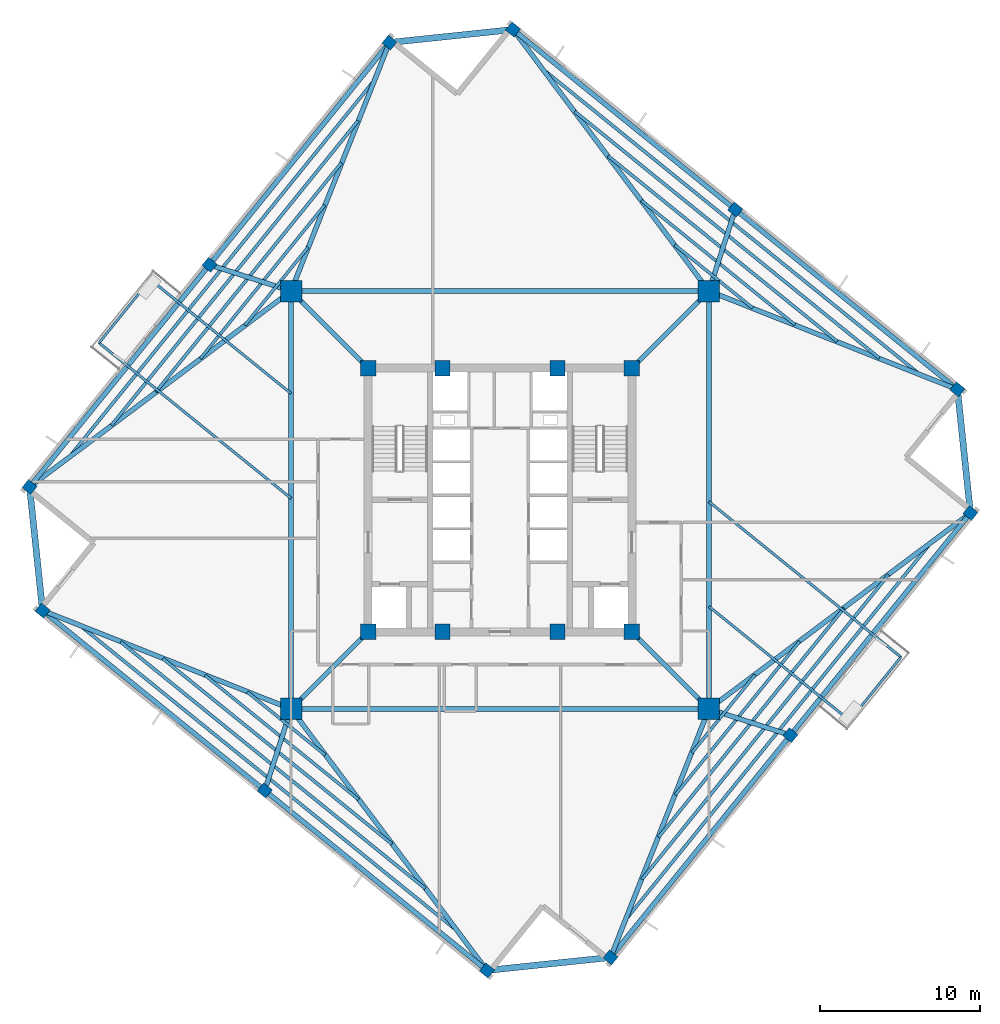
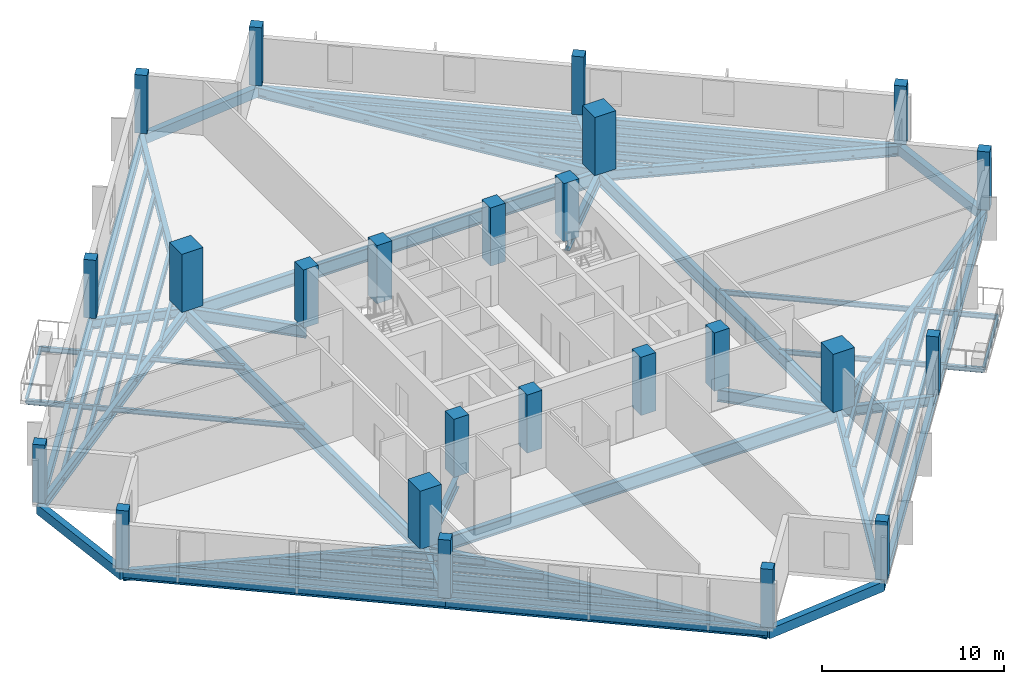
# One storey, part 1 of 9: 58 beams, 24 columns.
"""IFC4 building model written with IfcOpenShell, lengths in metres."""

from ifc_helpers import new_model, si_unit, direction, frame, origin, origin_2d, place, context, subcontext, project, spatial, rectangle, i_section, extrude, source, transform, mapped, material, material_profile, profile_set, type_object, element, save


model = new_model("IFC4")

# Units and contexts
model_context = context("Model", 3, precision=1e-05, world=origin(), true_north=direction((0.0, 1.0)))
body_context = subcontext(model_context, "Body", "Model", "MODEL_VIEW")
ifc_project = project(units=[si_unit("LENGTHUNIT", "METRE"), si_unit("AREAUNIT", "SQUARE_METRE"), si_unit("VOLUMEUNIT", "CUBIC_METRE"), si_unit("PLANEANGLEUNIT", "RADIAN"), si_unit("MASSUNIT", "GRAM", prefix="KILO"), si_unit("THERMODYNAMICTEMPERATUREUNIT", "KELVIN")], contexts=[model_context])

# Site, building, storey
site_placement = place(None, origin())
site = spatial("IfcSite", under=ifc_project, at=site_placement, CompositionType="ELEMENT")
building_placement = place(site_placement, origin())
building = spatial("IfcBuilding", under=site, at=building_placement, Name="Kosmvard Interchange Tower", CompositionType="ELEMENT")
storey_placement = place(building_placement, frame((0.0, 0.0, 221.199951171875)))
storey = spatial("IfcBuildingStorey", under=building, at=storey_placement, Name="L53", CompositionType="ELEMENT", Elevation=221.199951171875)

# Columns
ifc_material_1 = material(Name="Concrete C60/75", Category="concrete")
ifc_material_profile_1 = material_profile(ifc_material_1, rectangle(XDim=0.949951171875, YDim=0.949951171875, at=origin_2d()), Name="CP 950x950")
ifc_profile_set_1 = profile_set([ifc_material_profile_1], Name="Concrete C60/75")
column_type_1 = type_object("IfcColumnType", Name="Core Boundary Pilaster 950x950 C60/75", PredefinedType="PILASTER", material=ifc_profile_set_1)
shared_shape_1 = source(origin(), body_context, "Body", "SweptSolid", [
    extrude(rectangle(XDim=0.949951171875, YDim=0.949951171875, at=origin_2d()), origin(), (0.0, 0.0, 1.0), 3.900146484375),
])
for number, where, z_axis, x_axis, name in (
    (1, (-8.25, -8.25, 0.0), (0.0, 0.0, 1.0), (1.0, 0.0, 0.0), "L53 Core Pilaster CP1"),
    (2, (8.25, -8.25, 0.0), (0.0, 0.0, 1.0), (1.0, 0.0, 0.0), "L53 Core Pilaster CP2"),
    (3, (8.25, 8.25, 0.0), (0.0, 0.0, 1.0), (1.0, 0.0, 0.0), "L53 Core Pilaster CP3"),
    (4, (-8.25, 8.25, 0.0), (0.0, 0.0, 1.0), (1.0, 0.0, 0.0), "L53 Core Pilaster CP4"),
    (5, (-3.60009765625, -8.25, 0.0), (0.0, 0.0, 1.0), (1.0, 0.0, 0.0), "L53 Core Pilaster CP5"),
    (6, (3.60009765625, -8.25, 0.0), (0.0, 0.0, 1.0), (1.0, 0.0, 0.0), "L53 Core Pilaster CP6"),
    (7, (-3.60009765625, 8.25, 0.0), (0.0, 0.0, 1.0), (1.0, 0.0, 0.0), "L53 Core Pilaster CP7"),
    (8, (3.60009765625, 8.25, 0.0), (0.0, 0.0, 1.0), (1.0, 0.0, 0.0), "L53 Core Pilaster CP8"),
):
    element("IfcColumn", number, at=place(storey_placement, frame(where, z_axis=z_axis, x_axis=x_axis)), inside=storey, type_object=column_type_1, Name=name, PredefinedType="PILASTER", context=body_context, shape_type="MappedRepresentation", body=[
        mapped(shared_shape_1, transform((0.0, 0.0, 0.0), scale=1.0)),
    ])
ifc_material_profile_2 = material_profile(ifc_material_1, rectangle(XDim=1.35009765625, YDim=1.35009765625, at=origin_2d()), Name="MC 1350x1350")
ifc_profile_set_2 = profile_set([ifc_material_profile_2], Name="Concrete C60/75")
column_type_2 = type_object("IfcColumnType", Name="Composite Mega-Column 1350x1350 C60/75", PredefinedType="COLUMN", material=ifc_profile_set_2)
shared_shape_2 = source(origin(), body_context, "Body", "SweptSolid", [
    extrude(rectangle(XDim=1.35009765625, YDim=1.35009765625, at=origin_2d()), origin(), (0.0, 0.0, 1.0), 3.900146484375),
])
for number, where, z_axis, x_axis, name in (
    (9, (-13.0810546875, -13.0810546875, 0.0), (0.0, 0.0, 1.0), (1.0, 0.0, 0.0), "L53 Corner Mega-Column MC1"),
    (10, (13.0810546875, -13.0810546875, 0.0), (0.0, 0.0, 1.0), (1.0, 0.0, 0.0), "L53 Corner Mega-Column MC2"),
    (11, (13.0810546875, 13.0810546875, 0.0), (0.0, 0.0, 1.0), (1.0, 0.0, 0.0), "L53 Corner Mega-Column MC3"),
    (12, (-13.0810546875, 13.0810546875, 0.0), (0.0, 0.0, 1.0), (1.0, 0.0, 0.0), "L53 Corner Mega-Column MC4"),
):
    element("IfcColumn", number, at=place(storey_placement, frame(where, z_axis=z_axis, x_axis=x_axis)), inside=storey, type_object=column_type_2, Name=name, PredefinedType="COLUMN", context=body_context, shape_type="MappedRepresentation", body=[
        mapped(shared_shape_2, transform((0.0, 0.0, 0.0), scale=1.0)),
    ])
ifc_material_2 = material(Name="Concrete C50/60", Category="concrete")
ifc_material_profile_3 = material_profile(ifc_material_2, rectangle(XDim=0.64990234375, YDim=0.699951171875, at=origin_2d()), Name="TC 700x650")
ifc_profile_set_3 = profile_set([ifc_material_profile_3], Name="Concrete C50/60")
column_type_3 = type_object("IfcColumnType", Name="Zone 4 Perimeter Pier Column 700x650 C50/60", PredefinedType="COLUMN", material=ifc_profile_set_3)
shared_shape_3 = source(origin(), body_context, "Body", "SweptSolid", [
    extrude(rectangle(XDim=0.64990234375, YDim=0.699951171875, at=origin_2d()), origin(), (0.0, 0.0, 1.0), 3.900146484375),
])
for number, where, z_axis, x_axis, name in (
    (13, (6.92041015625, -28.636962890625, 0.0), (0.0, 0.0, 1.0), (0.62932039105, 0.777145961457, 0.0), "L53 Perimeter Pier Column TC-S1"),
    (14, (18.185302734375, -14.72607421875, 0.0), (0.0, 0.0, 1.0), (0.62932039105, 0.777145961457, 0.0), "L53 Perimeter Pier Column TC-S2"),
    (15, (29.449951171875, -0.815185546875, 0.0), (0.0, 0.0, 1.0), (0.62932039105, 0.777145961457, 0.0), "L53 Perimeter Pier Column TC-S3"),
    (16, (28.636962890625, 6.92041015625, 0.0), (0.0, 0.0, 1.0), (0.62932039105, 0.777145961457, 0.0), "L53 Perimeter Pier Column TC-E1"),
    (17, (14.72607421875, 18.185302734375, 0.0), (0.0, 0.0, 1.0), (0.62932039105, 0.777145961457, 0.0), "L53 Perimeter Pier Column TC-E2"),
    (18, (0.815185546875, 29.449951171875, 0.0), (0.0, 0.0, 1.0), (0.62932039105, 0.777145961457, 0.0), "L53 Perimeter Pier Column TC-E3"),
    (19, (-6.92041015625, 28.636962890625, 0.0), (0.0, 0.0, 1.0), (0.62932039105, 0.777145961457, 0.0), "L53 Perimeter Pier Column TC-N1"),
    (20, (-18.185302734375, 14.72607421875, 0.0), (0.0, 0.0, 1.0), (0.62932039105, 0.777145961457, 0.0), "L53 Perimeter Pier Column TC-N2"),
    (21, (-29.449951171875, 0.815185546875, 0.0), (0.0, 0.0, 1.0), (0.62932039105, 0.777145961457, 0.0), "L53 Perimeter Pier Column TC-N3"),
    (22, (-28.636962890625, -6.92041015625, 0.0), (0.0, 0.0, 1.0), (0.62932039105, 0.777145961457, 0.0), "L53 Perimeter Pier Column TC-W1"),
    (23, (-14.72607421875, -18.185302734375, 0.0), (0.0, 0.0, 1.0), (0.62932039105, 0.777145961457, 0.0), "L53 Perimeter Pier Column TC-W2"),
    (24, (-0.815185546875, -29.449951171875, 0.0), (0.0, 0.0, 1.0), (0.62932039105, 0.777145961457, 0.0), "L53 Perimeter Pier Column TC-W3"),
):
    element("IfcColumn", number, at=place(storey_placement, frame(where, z_axis=z_axis, x_axis=x_axis)), inside=storey, type_object=column_type_3, Name=name, PredefinedType="COLUMN", context=body_context, shape_type="MappedRepresentation", body=[
        mapped(shared_shape_3, transform((0.0, 0.0, 0.0), scale=1.0)),
    ])

# Beams
ifc_material_3 = material(Name="Steel S355", Category="steel")
ifc_material_profile_4 = material_profile(ifc_material_3, i_section(OverallWidth=0.14990234375, OverallDepth=0.300048828125, WebThickness=0.007080078125, FlangeThickness=0.0107421875, FilletRadius=0.014892578125, at=origin_2d()), Name="IPE 300")
ifc_profile_set_4 = profile_set([ifc_material_profile_4], Name="Steel S355")
beam_type_1 = type_object("IfcBeamType", Name="Balcony Edge Header Joist IPE 300 S355", PredefinedType="JOIST", material=ifc_profile_set_4)
shared_shape_4 = source(origin(), body_context, "Body", "SweptSolid", [
    extrude(i_section(OverallWidth=0.14990234375, OverallDepth=0.300048828125, WebThickness=0.007080078125, FlangeThickness=0.0107421875, FilletRadius=0.014892578125, at=origin_2d()), origin(), (0.0, 0.0, 1.0), 5.099853515625),
])
for number, where, z_axis, x_axis, name in (
    (25, (-21.89208984375, 13.80322265625, -0.389892578125), (-0.629319408179, -0.777146757369, 0.0), (0.777146757369, -0.629319408179, 0.0), "BM-L53-BJH1"),
    (26, (21.89208984375, -13.80322265625, -0.389892578125), (0.629319408179, 0.777146757369, 0.0), (-0.777146757369, 0.629319408179, 0.0), "BM-L53-BJH2"),
):
    element("IfcBeam", number, at=place(storey_placement, frame(where, z_axis=z_axis, x_axis=x_axis)), inside=storey, type_object=beam_type_1, Name=name, PredefinedType="JOIST", context=body_context, shape_type="MappedRepresentation", body=[
        mapped(shared_shape_4, transform((0.0, 0.0, 0.0), scale=1.0)),
    ])
ifc_material_profile_5 = material_profile(ifc_material_3, i_section(OverallWidth=0.300048828125, OverallDepth=0.800048828125, WebThickness=0.017578125, FlangeThickness=0.032958984375, FilletRadius=0.027099609375, at=origin_2d()), Name="HEB 800")
ifc_profile_set_5 = profile_set([ifc_material_profile_5], Name="Steel S355")
beam_type_2 = type_object("IfcBeamType", Name="Primary Mega-Frame Girder HEB 800 S355", PredefinedType="BEAM", material=ifc_profile_set_5)
shared_shape_5 = source(origin(), body_context, "Body", "SweptSolid", [
    extrude(i_section(OverallWidth=0.300048828125, OverallDepth=0.800048828125, WebThickness=0.017578125, FlangeThickness=0.032958984375, FilletRadius=0.027099609375, at=origin_2d()), origin(), (0.0, 0.0, 1.0), 6.83203125),
])
for number, where, z_axis, x_axis, name in (
    (27, (-8.25, -8.25, -0.639892578125), (-0.707106781187, -0.707106781187, 0.0), (0.707106781187, -0.707106781187, 0.0), "L53 Radial Mega-Frame Girder 1"),
    (28, (8.25, -8.25, -0.639892578125), (0.707106781187, -0.707106781187, 0.0), (0.707106781187, 0.707106781187, 0.0), "L53 Radial Mega-Frame Girder 2"),
    (29, (8.25, 8.25, -0.639892578125), (0.707106781187, 0.707106781187, 0.0), (-0.707106781187, 0.707106781187, 0.0), "L53 Radial Mega-Frame Girder 3"),
    (30, (-8.25, 8.25, -0.639892578125), (-0.707106781187, 0.707106781187, 0.0), (-0.707106781187, -0.707106781187, 0.0), "L53 Radial Mega-Frame Girder 4"),
):
    element("IfcBeam", number, at=place(storey_placement, frame(where, z_axis=z_axis, x_axis=x_axis)), inside=storey, type_object=beam_type_2, Name=name, PredefinedType="BEAM", context=body_context, shape_type="MappedRepresentation", body=[
        mapped(shared_shape_5, transform((0.0, 0.0, 0.0), scale=1.0)),
    ])
ifc_material_profile_6 = material_profile(ifc_material_3, i_section(OverallWidth=0.300048828125, OverallDepth=0.89990234375, WebThickness=0.0185546875, FlangeThickness=0.034912109375, FilletRadius=0.030029296875, at=origin_2d()), Name="HEB 900")
ifc_profile_set_6 = profile_set([ifc_material_profile_6], Name="Steel S355")
beam_type_3 = type_object("IfcBeamType", Name="Mega-Column Ring Girder HEB 900 S355", PredefinedType="BEAM", material=ifc_profile_set_6)
shared_shape_6 = source(origin(), body_context, "Body", "SweptSolid", [
    extrude(i_section(OverallWidth=0.300048828125, OverallDepth=0.89990234375, WebThickness=0.0185546875, FlangeThickness=0.034912109375, FilletRadius=0.030029296875, at=origin_2d()), origin(), (0.0, 0.0, 1.0), 26.162109375),
])
for number, where, z_axis, x_axis, name in (
    (31, (-13.0810546875, -13.0810546875, -0.68994140625), (1.0, 0.0, 0.0), (0.0, 1.0, 0.0), "L53 Mega-Column Ring Girder 1"),
    (32, (13.0810546875, -13.0810546875, -0.68994140625), (0.0, 1.0, 0.0), (-1.0, 0.0, 0.0), "L53 Mega-Column Ring Girder 2"),
    (33, (13.0810546875, 13.0810546875, -0.68994140625), (-1.0, 0.0, 0.0), (0.0, -1.0, 0.0), "L53 Mega-Column Ring Girder 3"),
    (34, (-13.0810546875, 13.0810546875, -0.68994140625), (0.0, -1.0, 0.0), (1.0, 0.0, 0.0), "L53 Mega-Column Ring Girder 4"),
):
    element("IfcBeam", number, at=place(storey_placement, frame(where, z_axis=z_axis, x_axis=x_axis)), inside=storey, type_object=beam_type_3, Name=name, PredefinedType="BEAM", context=body_context, shape_type="MappedRepresentation", body=[
        mapped(shared_shape_6, transform((0.0, 0.0, 0.0), scale=1.0)),
    ])
ifc_material_profile_7 = material_profile(ifc_material_3, i_section(OverallWidth=0.300048828125, OverallDepth=0.60009765625, WebThickness=0.015380859375, FlangeThickness=0.030029296875, FilletRadius=0.027099609375, at=origin_2d()), Name="HEB 600")
ifc_profile_set_7 = profile_set([ifc_material_profile_7], Name="Steel S355")
beam_type_4 = type_object("IfcBeamType", Name="Perimeter Tie Girder HEB 600 S355", PredefinedType="BEAM", material=ifc_profile_set_7)
shared_shape_7 = source(origin(), body_context, "Body", "SweptSolid", [
    extrude(i_section(OverallWidth=0.300048828125, OverallDepth=0.60009765625, WebThickness=0.015380859375, FlangeThickness=0.030029296875, FilletRadius=0.027099609375, at=origin_2d()), origin(), (0.0, 0.0, 1.0), 17.89990234375),
])
for number, where, z_axis, x_axis, name in (
    (35, (6.92041015625, -28.636962890625, -0.5400390625), (0.629322990554, 0.777143856413, 0.0), (-0.777143856413, 0.629322990554, 0.0), "BM-L53-PR01"),
    (36, (18.185302734375, -14.72607421875, -0.5400390625), (0.629314753061, 0.777150526976, 0.0), (-0.777150526976, 0.629314753061, 0.0), "BM-L53-PR02"),
    (37, (28.636962890625, 6.92041015625, -0.5400390625), (-0.777143856413, 0.629322990554, 0.0), (-0.629322990554, -0.777143856413, 0.0), "BM-L53-PR04"),
    (38, (14.72607421875, 18.185302734375, -0.5400390625), (-0.777150526976, 0.629314753061, 0.0), (-0.629314753061, -0.777150526976, 0.0), "BM-L53-PR05"),
    (39, (-6.92041015625, 28.636962890625, -0.5400390625), (-0.629322990554, -0.777143856413, 0.0), (0.777143856413, -0.629322990554, 0.0), "BM-L53-PR07"),
    (40, (-18.185302734375, 14.72607421875, -0.5400390625), (-0.629314753061, -0.777150526976, 0.0), (0.777150526976, -0.629314753061, 0.0), "BM-L53-PR08"),
    (41, (-28.636962890625, -6.92041015625, -0.5400390625), (0.777143856413, -0.629322990554, 0.0), (0.629322990554, 0.777143856413, 0.0), "BM-L53-PR10"),
    (42, (-14.72607421875, -18.185302734375, -0.5400390625), (0.777150526976, -0.629314753061, 0.0), (0.629314753061, 0.777150526976, 0.0), "BM-L53-PR11"),
):
    element("IfcBeam", number, at=place(storey_placement, frame(where, z_axis=z_axis, x_axis=x_axis)), inside=storey, type_object=beam_type_4, Name=name, PredefinedType="BEAM", context=body_context, shape_type="MappedRepresentation", body=[
        mapped(shared_shape_7, transform((0.0, 0.0, 0.0), scale=1.0)),
    ])
ifc_material_profile_8 = material_profile(ifc_material_3, i_section(OverallWidth=0.300048828125, OverallDepth=0.699951171875, WebThickness=0.01708984375, FlangeThickness=0.031982421875, FilletRadius=0.027099609375, at=origin_2d()), Name="HEB 700")
ifc_profile_set_8 = profile_set([ifc_material_profile_8], Name="Steel S355")
beam_type_5 = type_object("IfcBeamType", Name="Primary Floor Girder HEB 700 S355", PredefinedType="BEAM", material=ifc_profile_set_8)
shared_shape_8 = source(origin(), body_context, "Body", "SweptSolid", [
    extrude(i_section(OverallWidth=0.300048828125, OverallDepth=0.699951171875, WebThickness=0.01708984375, FlangeThickness=0.031982421875, FilletRadius=0.027099609375, at=origin_2d()), origin(), (0.0, 0.0, 1.0), 16.7314453125),
])
for number, where, z_axis, x_axis, name in (
    (43, (13.0810546875, -13.0810546875, -0.58984375), (-0.368208500474, -0.929743244223, 0.0), (0.929743244223, -0.368208500474, 0.0), "BM-L53-RD01"),
    (44, (13.0810546875, 13.0810546875, -0.58984375), (0.929743244223, -0.368208500474, 0.0), (0.368208500474, 0.929743244223, 0.0), "BM-L53-RD04"),
    (45, (-13.0810546875, 13.0810546875, -0.58984375), (0.368208500474, 0.929743244223, 0.0), (-0.929743244223, 0.368208500474, 0.0), "BM-L53-RD07"),
    (46, (-13.0810546875, -13.0810546875, -0.58984375), (-0.929743244223, 0.368208500474, 0.0), (-0.368208500474, -0.929743244223, 0.0), "BM-L53-RD10"),
):
    element("IfcBeam", number, at=place(storey_placement, frame(where, z_axis=z_axis, x_axis=x_axis)), inside=storey, type_object=beam_type_5, Name=name, PredefinedType="BEAM", context=body_context, shape_type="MappedRepresentation", body=[
        mapped(shared_shape_8, transform((0.0, 0.0, 0.0), scale=1.0)),
    ])
ifc_material_profile_9 = material_profile(ifc_material_3, i_section(OverallWidth=0.300048828125, OverallDepth=0.64990234375, WebThickness=0.01611328125, FlangeThickness=0.031005859375, FilletRadius=0.027099609375, at=origin_2d()), Name="HEB 650")
ifc_profile_set_9 = profile_set([ifc_material_profile_9], Name="Steel S355")
beam_type_6 = type_object("IfcBeamType", Name="Primary Floor Girder HEB 650 S355", PredefinedType="BEAM", material=ifc_profile_set_9)
shared_shape_9 = source(origin(), body_context, "Body", "SweptSolid", [
    extrude(i_section(OverallWidth=0.300048828125, OverallDepth=0.64990234375, WebThickness=0.01611328125, FlangeThickness=0.031005859375, FilletRadius=0.027099609375, at=origin_2d()), origin(), (0.0, 0.0, 1.0), 5.36279296875),
])
for number, where, z_axis, x_axis, name in (
    (47, (13.0810546875, -13.0810546875, -0.56494140625), (0.951790966135, -0.306747382686, 0.0), (0.306747382686, 0.951790966135, 0.0), "BM-L53-RD02"),
    (48, (13.0810546875, 13.0810546875, -0.56494140625), (0.306747382686, 0.951790966135, 0.0), (-0.951790966135, 0.306747382686, 0.0), "BM-L53-RD05"),
    (49, (-13.0810546875, 13.0810546875, -0.56494140625), (-0.951790966135, 0.306747382686, 0.0), (-0.306747382686, -0.951790966135, 0.0), "BM-L53-RD08"),
    (50, (-13.0810546875, -13.0810546875, -0.56494140625), (-0.306747382686, -0.951790966135, 0.0), (0.951790966135, -0.306747382686, 0.0), "BM-L53-RD11"),
):
    element("IfcBeam", number, at=place(storey_placement, frame(where, z_axis=z_axis, x_axis=x_axis)), inside=storey, type_object=beam_type_6, Name=name, PredefinedType="BEAM", context=body_context, shape_type="MappedRepresentation", body=[
        mapped(shared_shape_9, transform((0.0, 0.0, 0.0), scale=1.0)),
    ])
ifc_material_4 = material(Name="Precast concrete C45/55", Category="concrete")
ifc_material_profile_10 = material_profile(ifc_material_4, rectangle(XDim=0.39990234375, YDim=0.64990234375, at=origin_2d()), Name="SL 400x650")
ifc_profile_set_10 = profile_set([ifc_material_profile_10], Name="Precast concrete C45/55")
beam_type_7 = type_object("IfcBeamType", Name="Precast Spandrel Lintel 400x650 C45/55", PredefinedType="LINTEL", material=ifc_profile_set_10)
shared_shape_10 = source(origin(), body_context, "Body", "SweptSolid", [
    extrude(rectangle(XDim=0.39990234375, YDim=0.64990234375, at=origin_2d()), origin(), (0.0, 0.0, 1.0), 7.7783203125),
])
for number, where, z_axis, x_axis, name in (
    (51, (29.449951171875, -0.815185546875, -0.56494140625), (-0.104521394525, 0.994522638298, 0.0), (-0.994522638298, -0.104521394525, 0.0), "BM-L53-SL1"),
    (52, (0.815185546875, 29.449951171875, -0.56494140625), (-0.994522638298, -0.104521394525, 0.0), (0.104521394525, -0.994522638298, 0.0), "BM-L53-SL2"),
    (53, (-29.449951171875, 0.815185546875, -0.56494140625), (0.104521394525, -0.994522638298, 0.0), (0.994522638298, 0.104521394525, 0.0), "BM-L53-SL3"),
    (54, (-0.815185546875, -29.449951171875, -0.56494140625), (0.994522638298, 0.104521394525, 0.0), (-0.104521394525, 0.994522638298, 0.0), "BM-L53-SL4"),
):
    element("IfcBeam", number, at=place(storey_placement, frame(where, z_axis=z_axis, x_axis=x_axis)), inside=storey, type_object=beam_type_7, Name=name, PredefinedType="LINTEL", context=body_context, shape_type="MappedRepresentation", body=[
        mapped(shared_shape_10, transform((0.0, 0.0, 0.0), scale=1.0)),
    ])
shared_shape_11 = source(origin(), body_context, "Body", "SweptSolid", [
    extrude(i_section(OverallWidth=0.300048828125, OverallDepth=0.699951171875, WebThickness=0.01708984375, FlangeThickness=0.031982421875, FilletRadius=0.027099609375, at=origin_2d()), origin(), (0.0, 0.0, 1.0), 20.45458984375),
])
for number, where, z_axis, x_axis, name in (
    (55, (13.0810546875, -13.0810546875, -0.58984375), (0.800253443036, 0.599661927179, 0.0), (-0.599661927179, 0.800253443036, 0.0), "BM-L53-RD03"),
    (56, (13.0810546875, 13.0810546875, -0.58984375), (-0.599661927179, 0.800253443036, 0.0), (-0.800253443036, -0.599661927179, 0.0), "BM-L53-RD06"),
    (57, (-13.0810546875, 13.0810546875, -0.58984375), (-0.800253443036, -0.599661927179, 0.0), (0.599661927179, -0.800253443036, 0.0), "BM-L53-RD09"),
    (58, (-13.0810546875, -13.0810546875, -0.58984375), (0.599661927179, -0.800253443036, 0.0), (0.800253443036, 0.599661927179, 0.0), "BM-L53-RD12"),
):
    element("IfcBeam", number, at=place(storey_placement, frame(where, z_axis=z_axis, x_axis=x_axis)), inside=storey, type_object=beam_type_5, Name=name, PredefinedType="BEAM", context=body_context, shape_type="MappedRepresentation", body=[
        mapped(shared_shape_11, transform((0.0, 0.0, 0.0), scale=1.0)),
    ])
ifc_material_profile_11 = material_profile(ifc_material_3, i_section(OverallWidth=0.18994140625, OverallDepth=0.449951171875, WebThickness=0.009521484375, FlangeThickness=0.0146484375, FilletRadius=0.02099609375, at=origin_2d()), Name="IPE 450")
ifc_profile_set_11 = profile_set([ifc_material_profile_11], Name="Steel S355")
beam_type_8 = type_object("IfcBeamType", Name="Mid-Rise Floor Joist IPE 450 S355", PredefinedType="JOIST", material=ifc_profile_set_11)
shared_shape_12 = source(origin(), body_context, "Body", "SweptSolid", [
    extrude(i_section(OverallWidth=0.18994140625, OverallDepth=0.449951171875, WebThickness=0.009521484375, FlangeThickness=0.0146484375, FilletRadius=0.02099609375, at=origin_2d()), origin(), (0.0, 0.0, 1.0), 6.283935546875),
])
for number, where, z_axis, x_axis, name in (
    (59, (12.0224609375, -15.81884765625, -0.46484375), (0.629317809561, 0.777148051898, 0.0), (-0.777148051898, 0.629317809561, 0.0), "BM-L53-FJ01"),
    (60, (15.81884765625, 12.0224609375, -0.46484375), (-0.777148051898, 0.629317809561, 0.0), (-0.629317809561, -0.777148051898, 0.0), "BM-L53-FJ06"),
    (61, (-12.0224609375, 15.81884765625, -0.46484375), (-0.629317809561, -0.777148051898, 0.0), (0.777148051898, -0.629317809561, 0.0), "BM-L53-FJ11"),
    (62, (-15.81884765625, -12.0224609375, -0.46484375), (0.777148051898, -0.629317809561, 0.0), (0.629317809561, 0.777148051898, 0.0), "BM-L53-FJ16"),
):
    element("IfcBeam", number, at=place(storey_placement, frame(where, z_axis=z_axis, x_axis=x_axis)), inside=storey, type_object=beam_type_8, Name=name, PredefinedType="JOIST", context=body_context, shape_type="MappedRepresentation", body=[
        mapped(shared_shape_12, transform((0.0, 0.0, 0.0), scale=1.0)),
    ])
shared_shape_13 = source(origin(), body_context, "Body", "SweptSolid", [
    extrude(i_section(OverallWidth=0.18994140625, OverallDepth=0.449951171875, WebThickness=0.009521484375, FlangeThickness=0.0146484375, FilletRadius=0.02099609375, at=origin_2d()), origin(), (0.0, 0.0, 1.0), 12.369873046875),
])
for number, where, z_axis, x_axis, name in (
    (63, (10.97509765625, -18.46337890625, -0.46484375), (0.629319722443, 0.777146502883, 0.0), (-0.777146502883, 0.629319722443, 0.0), "BM-L53-FJ02"),
    (64, (18.46337890625, 10.97509765625, -0.46484375), (-0.777146502883, 0.629319722443, 0.0), (-0.629319722443, -0.777146502883, 0.0), "BM-L53-FJ07"),
    (65, (-10.97509765625, 18.46337890625, -0.46484375), (-0.629319722443, -0.777146502883, 0.0), (0.777146502883, -0.629319722443, 0.0), "BM-L53-FJ12"),
    (66, (-18.46337890625, -10.97509765625, -0.46484375), (0.777146502883, -0.629319722443, 0.0), (0.629319722443, 0.777146502883, 0.0), "BM-L53-FJ17"),
):
    element("IfcBeam", number, at=place(storey_placement, frame(where, z_axis=z_axis, x_axis=x_axis)), inside=storey, type_object=beam_type_8, Name=name, PredefinedType="JOIST", context=body_context, shape_type="MappedRepresentation", body=[
        mapped(shared_shape_13, transform((0.0, 0.0, 0.0), scale=1.0)),
    ])
ifc_material_profile_12 = material_profile(ifc_material_3, i_section(OverallWidth=0.199951171875, OverallDepth=0.5, WebThickness=0.01025390625, FlangeThickness=0.01611328125, FilletRadius=0.02099609375, at=origin_2d()), Name="IPE 500")
ifc_profile_set_12 = profile_set([ifc_material_profile_12], Name="Steel S355")
beam_type_9 = type_object("IfcBeamType", Name="Standard Floor Joist IPE 500 S355", PredefinedType="JOIST", material=ifc_profile_set_12)
shared_shape_14 = source(origin(), body_context, "Body", "SweptSolid", [
    extrude(i_section(OverallWidth=0.199951171875, OverallDepth=0.5, WebThickness=0.01025390625, FlangeThickness=0.01611328125, FilletRadius=0.02099609375, at=origin_2d()), origin(), (0.0, 0.0, 1.0), 18.4560546875),
])
for number, where, z_axis, x_axis, name in (
    (67, (9.927734375, -21.10791015625, -0.489990234375), (0.629320373744, 0.777145975471, 0.0), (-0.777145975471, 0.629320373744, 0.0), "BM-L53-FJ03"),
    (68, (21.10791015625, 9.927734375, -0.489990234375), (-0.777145975471, 0.629320373744, 0.0), (-0.629320373744, -0.777145975471, 0.0), "BM-L53-FJ08"),
    (69, (-9.927734375, 21.10791015625, -0.489990234375), (-0.629320373744, -0.777145975471, 0.0), (0.777145975471, -0.629320373744, 0.0), "BM-L53-FJ13"),
    (70, (-21.10791015625, -9.927734375, -0.489990234375), (0.777145975471, -0.629320373744, 0.0), (0.629320373744, 0.777145975471, 0.0), "BM-L53-FJ18"),
):
    element("IfcBeam", number, at=place(storey_placement, frame(where, z_axis=z_axis, x_axis=x_axis)), inside=storey, type_object=beam_type_9, Name=name, PredefinedType="JOIST", context=body_context, shape_type="MappedRepresentation", body=[
        mapped(shared_shape_14, transform((0.0, 0.0, 0.0), scale=1.0)),
    ])
shared_shape_15 = source(origin(), body_context, "Body", "SweptSolid", [
    extrude(i_section(OverallWidth=0.199951171875, OverallDepth=0.5, WebThickness=0.01025390625, FlangeThickness=0.01611328125, FilletRadius=0.02099609375, at=origin_2d()), origin(), (0.0, 0.0, 1.0), 24.5419921875),
])
for number, where, z_axis, x_axis, name in (
    (71, (8.880615234375, -23.75244140625, -0.489990234375), (0.629314693907, 0.777150574878, 0.0), (-0.777150574878, 0.629314693907, 0.0), "BM-L53-FJ04"),
    (72, (23.75244140625, 8.880615234375, -0.489990234375), (-0.777150574878, 0.629314693907, 0.0), (-0.629314693907, -0.777150574878, 0.0), "BM-L53-FJ09"),
    (73, (-8.880615234375, 23.75244140625, -0.489990234375), (-0.629314693907, -0.777150574878, 0.0), (0.777150574878, -0.629314693907, 0.0), "BM-L53-FJ14"),
    (74, (-23.75244140625, -8.880615234375, -0.489990234375), (0.777150574878, -0.629314693907, 0.0), (0.629314693907, 0.777150574878, 0.0), "BM-L53-FJ19"),
):
    element("IfcBeam", number, at=place(storey_placement, frame(where, z_axis=z_axis, x_axis=x_axis)), inside=storey, type_object=beam_type_9, Name=name, PredefinedType="JOIST", context=body_context, shape_type="MappedRepresentation", body=[
        mapped(shared_shape_15, transform((0.0, 0.0, 0.0), scale=1.0)),
    ])
shared_shape_16 = source(origin(), body_context, "Body", "SweptSolid", [
    extrude(i_section(OverallWidth=0.199951171875, OverallDepth=0.5, WebThickness=0.01025390625, FlangeThickness=0.01611328125, FilletRadius=0.02099609375, at=origin_2d()), origin(), (0.0, 0.0, 1.0), 30.27001953125),
])
for number, where, z_axis, x_axis, name in (
    (75, (7.894775390625, -26.241455078125, -0.489990234375), (0.629321655027, 0.777144937907, 0.0), (-0.777144937907, 0.629321655027, 0.0), "BM-L53-FJ05"),
    (76, (26.241455078125, 7.894775390625, -0.489990234375), (-0.777144937907, 0.629321655027, 0.0), (-0.629321655027, -0.777144937907, 0.0), "BM-L53-FJ10"),
    (77, (-7.894775390625, 26.241455078125, -0.489990234375), (-0.629321655027, -0.777144937907, 0.0), (0.777144937907, -0.629321655027, 0.0), "BM-L53-FJ15"),
    (78, (-26.241455078125, -7.894775390625, -0.489990234375), (0.777144937907, -0.629321655027, 0.0), (0.629321655027, 0.777144937907, 0.0), "BM-L53-FJ20"),
):
    element("IfcBeam", number, at=place(storey_placement, frame(where, z_axis=z_axis, x_axis=x_axis)), inside=storey, type_object=beam_type_9, Name=name, PredefinedType="JOIST", context=body_context, shape_type="MappedRepresentation", body=[
        mapped(shared_shape_16, transform((0.0, 0.0, 0.0), scale=1.0)),
    ])
ifc_material_profile_13 = material_profile(ifc_material_3, i_section(OverallWidth=0.159912109375, OverallDepth=0.330078125, WebThickness=0.007568359375, FlangeThickness=0.011474609375, FilletRadius=0.01806640625, at=origin_2d()), Name="IPE 330")
ifc_profile_set_13 = profile_set([ifc_material_profile_13], Name="Steel S355")
beam_type_10 = type_object("IfcBeamType", Name="Balcony Cantilever Joist IPE 330 S355", PredefinedType="JOIST", material=ifc_profile_set_13)
shared_shape_17 = source(origin(), body_context, "Body", "SweptSolid", [
    extrude(i_section(OverallWidth=0.159912109375, OverallDepth=0.330078125, WebThickness=0.007568359375, FlangeThickness=0.011474609375, FilletRadius=0.01806640625, at=origin_2d()), origin(), (0.0, 0.0, 1.0), 11.337646484375),
])
for number, where, z_axis, x_axis, name in (
    (79, (-13.0810546875, 6.668212890625, -0.405029296875), (-0.777147075247, 0.629319015631, 0.0), (-0.629319015631, -0.777147075247, 0.0), "BM-L53-BJ1"),
    (80, (13.0810546875, -6.668212890625, -0.405029296875), (0.777147075247, -0.629319015631, 0.0), (0.629319015631, 0.777147075247, 0.0), "BM-L53-BJ2"),
):
    element("IfcBeam", number, at=place(storey_placement, frame(where, z_axis=z_axis, x_axis=x_axis)), inside=storey, type_object=beam_type_10, Name=name, PredefinedType="JOIST", context=body_context, shape_type="MappedRepresentation", body=[
        mapped(shared_shape_17, transform((0.0, 0.0, 0.0), scale=1.0)),
    ])
shared_shape_18 = source(origin(), body_context, "Body", "SweptSolid", [
    extrude(i_section(OverallWidth=0.159912109375, OverallDepth=0.330078125, WebThickness=0.007568359375, FlangeThickness=0.011474609375, FilletRadius=0.01806640625, at=origin_2d()), origin(), (0.0, 0.0, 1.0), 15.467529296875),
])
for number, where, z_axis, x_axis, name in (
    (81, (-13.0810546875, 0.105712890625, -0.405029296875), (-0.777142307458, 0.629324903336, 0.0), (-0.629324903336, -0.777142307458, 0.0), "BM-L53-BJB1"),
    (82, (13.0810546875, -0.105712890625, -0.405029296875), (0.777142307458, -0.629324903336, 0.0), (0.629324903336, 0.777142307458, 0.0), "BM-L53-BJB2"),
):
    element("IfcBeam", number, at=place(storey_placement, frame(where, z_axis=z_axis, x_axis=x_axis)), inside=storey, type_object=beam_type_10, Name=name, PredefinedType="JOIST", context=body_context, shape_type="MappedRepresentation", body=[
        mapped(shared_shape_18, transform((0.0, 0.0, 0.0), scale=1.0)),
    ])

save(model, "model.ifc")
